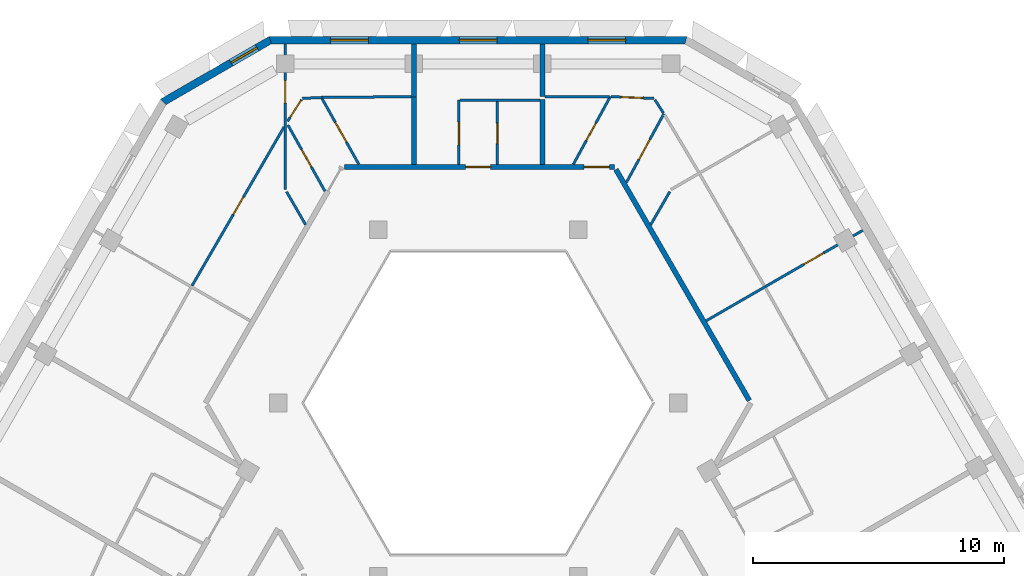
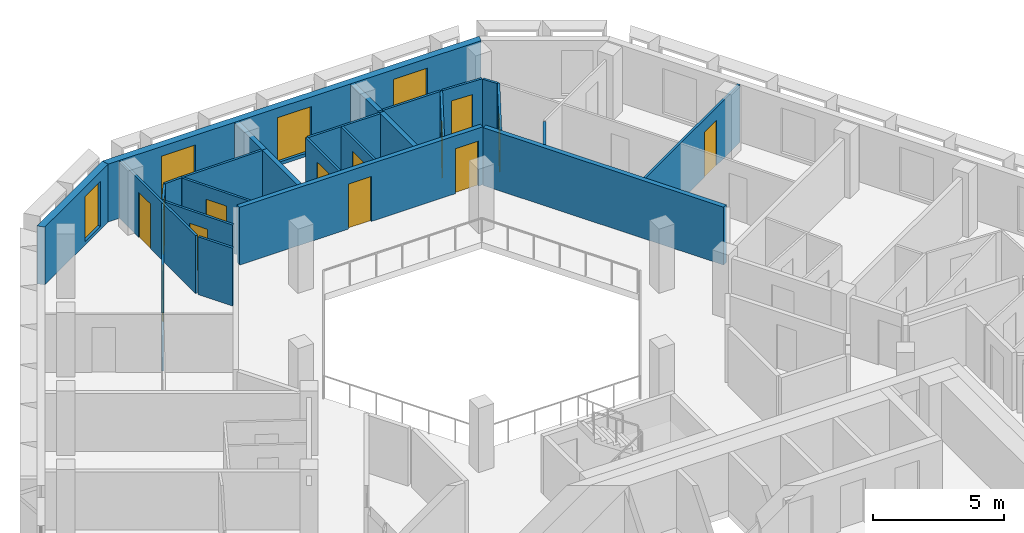
# One storey, part 7 of 15: 26 walls, 13 doors, 4 windows, 17 openings.
"""IFC4 building model written with IfcOpenShell, lengths in metres."""

import ifcopenshell
import ifcopenshell.guid

model = None  # the IFC model being written
_history = None  # IfcOwnerHistory: only IFC2X3 demands one
_inside = {}  # id of a spatial element -> (the spatial element, [elements in it])
_under = {}  # id of a project, library or spatial element -> (it, [spatial elements below it])
_declared = {}  # id of a project -> (the project, [libraries it declares])
_typed = {}  # id of a type object -> (the type object, [elements of that type])
_made_of = {}  # id of a material, layer set ... -> (it, [elements and type objects made of it])


def new_model(schema):
    """Start an empty IFC model of exactly this schema.

    Asked for "IFC4X3", IfcOpenShell would pick the latest addendum, in which some entities
    have other attributes; the version numbers below select the first issue.
    IFC2X3 requires an IfcOwnerHistory on every rooted entity: one is made here for all.
    """
    global model, _history
    if schema == "IFC4X3":
        model = ifcopenshell.file(schema_version=(4, 3, 0, 0))
    else:
        model = ifcopenshell.file(schema=schema)
    _inside.clear()
    _under.clear()
    _declared.clear()
    _typed.clear()
    _made_of.clear()
    _history = None
    if model.schema == "IFC2X3":
        org = make("IfcOrganization", Name="unknown")
        user = make(
            "IfcPersonAndOrganization",
            ThePerson=make("IfcPerson", FamilyName="unknown"),
            TheOrganization=org,
        )
        app = make(
            "IfcApplication",
            ApplicationDeveloper=org,
            Version="unknown",
            ApplicationFullName="unknown",
            ApplicationIdentifier="unknown",
        )
        _history = make(
            "IfcOwnerHistory",
            OwningUser=user,
            OwningApplication=app,
            ChangeAction="ADDED",
            CreationDate=0,
        )
    return model


def make(cls, **values):
    """One entity of the class cls with the attributes given. An attribute that is None is left unset."""
    return model.create_entity(
        cls, **{name: value for name, value in values.items() if value is not None}
    )


def rooted(cls, **values):
    """An entity with a GlobalId (a new one), such as an element, a storey or a relation."""
    return make(cls, GlobalId=ifcopenshell.guid.new(), OwnerHistory=_history, **values)


def si_unit(unit_type, name, prefix=None):
    """IfcSIUnit, for example si_unit("LENGTHUNIT", "METRE", prefix="MILLI")."""
    return make("IfcSIUnit", UnitType=unit_type, Prefix=prefix, Name=name)


def assignment(units):
    """IfcUnitAssignment: the units of a project."""
    return None if units is None else make("IfcUnitAssignment", Units=units)


def point(xyz):
    """IfcCartesianPoint."""
    return None if xyz is None else make("IfcCartesianPoint", Coordinates=xyz)


def direction(xyz):
    """IfcDirection."""
    return None if xyz is None else make("IfcDirection", DirectionRatios=xyz)


def frame(location, z_axis=None, x_axis=None):
    """IfcAxis2Placement3D, a coordinate frame: its origin and axes. An axis left out is left unset."""
    return make(
        "IfcAxis2Placement3D",
        Location=point(location),
        Axis=direction(z_axis),
        RefDirection=direction(x_axis),
    )


def frame_2d(location, x_axis=None):
    """IfcAxis2Placement2D, a coordinate frame in the plane: its origin and x axis."""
    return make(
        "IfcAxis2Placement2D", Location=point(location), RefDirection=direction(x_axis)
    )


def origin():
    """The frame at (0, 0, 0) with its axes left unset."""
    return frame((0.0, 0.0, 0.0))


def place(relative_to, where):
    """IfcLocalPlacement: puts the frame where relative to a parent placement (None: the world)."""
    return make(
        "IfcLocalPlacement", PlacementRelTo=relative_to, RelativePlacement=where
    )


def context(
    kind, dimensions, precision=None, world=None, true_north=None, identifier=None
):
    """IfcGeometricRepresentationContext, for example the 3D "Model" context."""
    return make(
        "IfcGeometricRepresentationContext",
        ContextIdentifier=identifier,
        ContextType=kind,
        CoordinateSpaceDimension=dimensions,
        Precision=precision,
        WorldCoordinateSystem=world,
        TrueNorth=true_north,
    )


def subcontext(parent, identifier, kind, view, scale=None):
    """IfcGeometricRepresentationSubContext, for example "Body" below "Model"."""
    return make(
        "IfcGeometricRepresentationSubContext",
        ContextIdentifier=identifier,
        ContextType=kind,
        ParentContext=parent,
        TargetScale=scale,
        TargetView=view,
    )


def project(units=None, contexts=None):
    """IfcProject with its units and contexts."""
    return rooted(
        "IfcProject",
        Name="project",
        RepresentationContexts=contexts,
        UnitsInContext=assignment(units),
    )


def spatial(cls, under=None, at=None, **own):
    """A site, building, storey or space (cls), placed at a placement, below another one or the project."""
    s = rooted(cls, ObjectPlacement=at, **own)
    if under is not None:
        _under.setdefault(under.id(), (under, []))[1].append(s)
    return s


def polyline(points):
    """IfcPolyline through the points."""
    return make("IfcPolyline", Points=[point(p) for p in points])


def profile(cls, at=None, kind="AREA", **sizes):
    """A parametric profile (cls). Its sizes go by their IFC names, for example OverallWidth=200.0."""
    return make(cls, ProfileType=kind, Position=at, **sizes)


def rectangle(**sizes):
    """IfcRectangleProfileDef."""
    return profile("IfcRectangleProfileDef", **sizes)


def outline(outer, holes=None, kind="AREA"):
    """IfcArbitraryClosedProfileDef: a profile drawn as a closed curve; with holes, ...WithVoids."""
    if holes is None:
        return make("IfcArbitraryClosedProfileDef", ProfileType=kind, OuterCurve=outer)
    return make(
        "IfcArbitraryProfileDefWithVoids",
        ProfileType=kind,
        OuterCurve=outer,
        InnerCurves=holes,
    )


def extrude(swept, where, along, depth):
    """IfcExtrudedAreaSolid: the profile swept, set in the frame where, extruded along a direction by depth."""
    return make(
        "IfcExtrudedAreaSolid",
        SweptArea=swept,
        Position=where,
        ExtrudedDirection=direction(along),
        Depth=depth,
    )


def shape(context_of_items, identifier, shape_type, items):
    """IfcShapeRepresentation: the items that make up one representation, for example the "Body"."""
    return make(
        "IfcShapeRepresentation",
        ContextOfItems=context_of_items,
        RepresentationIdentifier=identifier,
        RepresentationType=shape_type,
        Items=items,
    )


def material(Name=None, Category=None):
    """IfcMaterial."""
    return make("IfcMaterial", Name=Name, Category=Category)


def layer(
    of_material, thickness, ventilated=None, Name=None, Category=None, Priority=None
):
    """IfcMaterialLayer: one layer of a wall or slab, of a material (None: an air gap)."""
    return make(
        "IfcMaterialLayer",
        Material=of_material,
        LayerThickness=thickness,
        IsVentilated=ventilated,
        Name=Name,
        Category=Category,
        Priority=Priority,
    )


def layer_set(layers, Name=None):
    """IfcMaterialLayerSet."""
    return make("IfcMaterialLayerSet", MaterialLayers=layers, LayerSetName=Name)


def made_of(thing, what):
    """Note that an element or type object is made of a material, layer set ...; save() writes the relation."""
    if what is not None:
        _made_of.setdefault(what.id(), (what, []))[1].append(thing)
    return thing


def type_object(cls, material=None, **own):
    """A type object (cls), such as IfcWallType, which elements share."""
    return made_of(rooted(cls, **own), material)


def element(
    cls,
    number,
    at=None,
    inside=None,
    cuts=None,
    type_object=None,
    material=None,
    context=None,
    identifier="Body",
    shape_type=None,
    held_by="IfcProductDefinitionShape",
    body=None,
    shapes=None,
    **own,
):
    """One element of the class cls, such as IfcWall. Its Tag is "e" and its number.

    at: its placement. inside: the storey or other place that contains it. cuts: it is an
    opening in that element (IfcRelVoidsElement). A single representation is given by context,
    identifier, shape_type and body (its items); several are given by shapes. held_by: the class
    of the entity that holds the representations. save() writes the other relations.
    """
    e = rooted(cls, Tag="e%d" % number, ObjectPlacement=at, **own)
    if body is not None:
        shapes = [shape(context, identifier, shape_type, body)]
    if shapes is not None:
        e.Representation = make(held_by, Representations=shapes)
    if inside is not None:
        _inside.setdefault(inside.id(), (inside, []))[1].append(e)
    if cuts is not None:
        rooted(
            "IfcRelVoidsElement", RelatingBuildingElement=cuts, RelatedOpeningElement=e
        )
    if type_object is not None:
        _typed.setdefault(type_object.id(), (type_object, []))[1].append(e)
    return made_of(e, material)


def fill(opening, filler):
    """IfcRelFillsElement: the door or window that sits in an opening."""
    return rooted(
        "IfcRelFillsElement",
        RelatingOpeningElement=opening,
        RelatedBuildingElement=filler,
    )


def aggregate(whole, parts):
    """IfcRelAggregates: a whole, such as a stair, and the parts it consists of."""
    return rooted("IfcRelAggregates", RelatingObject=whole, RelatedObjects=parts)


def save(model, path):
    """Write the relations noted so far, then the file.

    IfcRelAggregates (storeys below a building ...), IfcRelContainedInSpatialStructure (elements
    in a storey), IfcRelDefinesByType, IfcRelAssociatesMaterial and IfcRelDeclares: one each for
    every whole, place, type object, material and project.
    """
    for whole, parts in _under.values():
        aggregate(whole, parts)
    for where, things in _inside.values():
        rooted(
            "IfcRelContainedInSpatialStructure",
            RelatedElements=things,
            RelatingStructure=where,
        )
    for kind, things in _typed.values():
        rooted("IfcRelDefinesByType", RelatedObjects=things, RelatingType=kind)
    for what, things in _made_of.values():
        rooted("IfcRelAssociatesMaterial", RelatedObjects=things, RelatingMaterial=what)
    for by, libraries in _declared.values():
        rooted("IfcRelDeclares", RelatingContext=by, RelatedDefinitions=libraries)
    model.write(path)


model = new_model("IFC4")

# Units and contexts
model_context = context("Model", 3, precision=1e-05, world=origin(), true_north=direction((0.0, 1.0)))
body_context = subcontext(model_context, "Body", "Model", "MODEL_VIEW")
ifc_project = project(units=[si_unit("LENGTHUNIT", "METRE"), si_unit("AREAUNIT", "SQUARE_METRE"), si_unit("VOLUMEUNIT", "CUBIC_METRE"), si_unit("PLANEANGLEUNIT", "RADIAN"), si_unit("MASSUNIT", "GRAM", prefix="KILO")], contexts=[model_context])

# Site, building, storey
site_placement = place(None, origin())
site = spatial("IfcSite", under=ifc_project, at=site_placement, CompositionType="ELEMENT")
building_placement = place(site_placement, origin())
building = spatial("IfcBuilding", under=site, at=building_placement, Name="Beryl Residences", CompositionType="ELEMENT")
storey_placement = place(building_placement, frame((0.0, 0.0, 211.800048828125)))
storey = spatial("IfcBuildingStorey", under=building, at=storey_placement, Name="L65", CompositionType="ELEMENT", Elevation=211.800048828125)

# Wall, openings, windows
ifc_material_1 = material(Name="Composite metal panel with mineral wool insulation")
ifc_layer_1 = layer(ifc_material_1, 0.300048828125)
ifc_layer_set_1 = layer_set([ifc_layer_1], Name="ES1 pale metal composite panel wall 300 mm")
wall_type_1 = type_object("IfcWallType", Name="ES1 pale metal composite panel wall 300 mm", PredefinedType="SOLIDWALL", material=ifc_layer_set_1)
wall_1_placement = place(storey_placement, frame((8.31396484375, 22.449951171875, 0.0), z_axis=(0.0, 0.0, 1.0), x_axis=(-1.0, 0.0, 0.0)))
wall_1 = element("IfcWall", 1, at=wall_1_placement, inside=storey, type_object=wall_type_1, Name="ES1 external wall L65 N", PredefinedType="SOLIDWALL", context=body_context, shape_type="SweptSolid", body=[
    extrude(outline(polyline([(0.0, -0.14990234375), (16.6279296875, -0.14990234375), (16.547607421875, 0.14990234375), (0.080322265625, 0.14990234375), (0.0, -0.14990234375)])), origin(), (0.0, 0.0, 1.0), 2.699951171875),
])
opening_1_placement = place(wall_1_placement, frame((2.444091796875, 0.0, 0.14990234375)))
opening_1 = element("IfcOpeningElement", 2, at=opening_1_placement, cuts=wall_1, Name="Opening W1", PredefinedType="OPENING", context=body_context, shape_type="SweptSolid", body=[
    extrude(rectangle(XDim=1.5, YDim=2.10009765625, at=frame_2d((0.75, 1.050048828125))), frame((0.0, 0.159912109375, 0.0), z_axis=(0.0, -1.0, 0.0), x_axis=(1.0, 0.0, 0.0)), (0.0, 0.0, 1.0), 0.320068359375),
])
opening_2_placement = place(wall_1_placement, frame((7.56396484375, 0.0, 0.14990234375)))
opening_2 = element("IfcOpeningElement", 3, at=opening_2_placement, cuts=wall_1, Name="Opening W1", PredefinedType="OPENING", context=body_context, shape_type="SweptSolid", body=[
    extrude(rectangle(XDim=1.5, YDim=2.10009765625, at=frame_2d((0.75, 1.050048828125))), frame((0.0, 0.159912109375, 0.0), z_axis=(0.0, -1.0, 0.0), x_axis=(1.0, 0.0, 0.0)), (0.0, 0.0, 1.0), 0.320068359375),
])
opening_3_placement = place(wall_1_placement, frame((12.68310546875, 0.0, 0.14990234375)))
opening_3 = element("IfcOpeningElement", 4, at=opening_3_placement, cuts=wall_1, Name="Opening W1", PredefinedType="OPENING", context=body_context, shape_type="SweptSolid", body=[
    extrude(rectangle(XDim=1.5, YDim=2.10009765625, at=frame_2d((0.75, 1.050048828125))), frame((0.0, 0.159912109375, 0.0), z_axis=(0.0, -1.0, 0.0), x_axis=(1.0, 0.0, 0.0)), (0.0, 0.0, 1.0), 0.320068359375),
])
ifc_material_2 = material(Name="Aluminium and clear glass", Category="aluminium")
window_type_1 = type_object("IfcWindowType", Name="W1 cell window 1500 x 2100 mm", PartitioningType="SINGLE_PANEL", PredefinedType="WINDOW", material=ifc_material_2)
window_1_placement = place(opening_1_placement, origin())
window_1 = element("IfcWindow", 5, at=window_1_placement, inside=storey, type_object=window_type_1, Name="W1 window L65 N 2", OverallHeight=2.10009765625, OverallWidth=1.5, PartitioningType="SINGLE_PANEL", PredefinedType="WINDOW", context=body_context, shape_type="SweptSolid", body=[
    extrude(rectangle(XDim=1.5, YDim=2.10009765625, at=frame_2d((0.75, 1.050048828125))), frame((0.0, 0.030029296875, 0.0), z_axis=(0.0, -1.0, 0.0), x_axis=(1.0, 0.0, 0.0)), (0.0, 0.0, 1.0), 0.06005859375),
])
fill(opening_1, window_1)
window_2_placement = place(opening_2_placement, origin())
window_2 = element("IfcWindow", 6, at=window_2_placement, inside=storey, type_object=window_type_1, Name="W1 window L65 N 4", OverallHeight=2.10009765625, OverallWidth=1.5, PartitioningType="SINGLE_PANEL", PredefinedType="WINDOW", context=body_context, shape_type="SweptSolid", body=[
    extrude(rectangle(XDim=1.5, YDim=2.10009765625, at=frame_2d((0.75, 1.050048828125))), frame((0.0, 0.030029296875, 0.0), z_axis=(0.0, -1.0, 0.0), x_axis=(1.0, 0.0, 0.0)), (0.0, 0.0, 1.0), 0.06005859375),
])
fill(opening_2, window_2)
window_3_placement = place(opening_3_placement, origin())
window_3 = element("IfcWindow", 7, at=window_3_placement, inside=storey, type_object=window_type_1, Name="W1 window L65 N 6", OverallHeight=2.10009765625, OverallWidth=1.5, PartitioningType="SINGLE_PANEL", PredefinedType="WINDOW", context=body_context, shape_type="SweptSolid", body=[
    extrude(rectangle(XDim=1.5, YDim=2.10009765625, at=frame_2d((0.75, 1.050048828125))), frame((0.0, 0.030029296875, 0.0), z_axis=(0.0, -1.0, 0.0), x_axis=(1.0, 0.0, 0.0)), (0.0, 0.0, 1.0), 0.06005859375),
])
fill(opening_3, window_3)

# Wall, opening, window
wall_2_placement = place(storey_placement, frame((-8.239013671875, 22.469970703125, 0.0), z_axis=(0.0, 0.0, 1.0), x_axis=(-0.866022959057, -0.500004234368, 0.0)))
wall_2 = element("IfcWall", 8, at=wall_2_placement, inside=storey, type_object=wall_type_1, Name="ES1 external wall L65 N-NW", PredefinedType="SOLIDWALL", context=body_context, shape_type="SweptSolid", body=[
    extrude(outline(polyline([(0.0, -0.14990234375), (5.0, -0.14990234375), (4.919677734375, 0.14990234375), (0.080322265625, 0.14990234375), (0.0, -0.14990234375)])), origin(), (0.0, 0.0, 1.0), 2.699951171875),
])
opening_4_placement = place(wall_2_placement, frame((0.64990234375, 0.0, 0.14990234375)))
opening_4 = element("IfcOpeningElement", 9, at=opening_4_placement, cuts=wall_2, Name="Opening W2", PredefinedType="OPENING", context=body_context, shape_type="SweptSolid", body=[
    extrude(rectangle(XDim=1.199951171875, YDim=2.10009765625, at=frame_2d((0.60009765625, 1.050048828125))), frame((0.0, 0.159912109375, 0.0), z_axis=(0.0, -1.0, 0.0), x_axis=(1.0, 0.0, 0.0)), (0.0, 0.0, 1.0), 0.320068359375),
])
ifc_material_3 = material(Name="Aluminium and clear glass", Category="aluminium")
window_type_2 = type_object("IfcWindowType", Name="W2 chamfer window 1200 x 2100 mm", PartitioningType="SINGLE_PANEL", PredefinedType="WINDOW", material=ifc_material_3)
window_4_placement = place(opening_4_placement, origin())
window_4 = element("IfcWindow", 10, at=window_4_placement, inside=storey, type_object=window_type_2, Name="W2 window L65 N-NW 1", OverallHeight=2.10009765625, OverallWidth=1.199951171875, PartitioningType="SINGLE_PANEL", PredefinedType="WINDOW", context=body_context, shape_type="SweptSolid", body=[
    extrude(rectangle(XDim=1.199951171875, YDim=2.10009765625, at=frame_2d((0.60009765625, 1.050048828125))), frame((0.0, 0.030029296875, 0.0), z_axis=(0.0, -1.0, 0.0), x_axis=(1.0, 0.0, 0.0)), (0.0, 0.0, 1.0), 0.06005859375),
])
fill(opening_4, window_4)

# Walls
ifc_material_4 = material(Name="Gypsum board partition on steel studs", Category="steel")
ifc_layer_2 = layer(ifc_material_4, 0.10009765625)
ifc_layer_set_2 = layer_set([ifc_layer_2], Name="PT1 partition 100 mm gypsum board on steel studs")
wall_type_2 = type_object("IfcWallType", Name="PT1 partition 100 mm gypsum board on steel studs", PredefinedType="PARTITIONING", material=ifc_layer_set_2)
wall_3_placement = place(storey_placement, frame((7.034912109375, 20.076904296875, 0.0), z_axis=(0.0, 0.0, 1.0), x_axis=(0.540425167977, -0.841392083286, 0.0)))
element("IfcWall", 11, at=wall_3_placement, inside=storey, type_object=wall_type_2, Name="Wall PT1 L65 003", PredefinedType="PARTITIONING", context=body_context, shape_type="SweptSolid", body=[
    extrude(rectangle(XDim=0.631103515625, YDim=0.10009765625, at=frame_2d((0.3154296875, 0.0))), origin(), (0.0, 0.0, 1.0), 2.699951171875),
])
wall_4_placement = place(storey_placement, frame((-7.6279296875, 16.412109375, 0.0), z_axis=(0.0, 0.0, 1.0), x_axis=(0.500159472144, -0.86593331292, 0.0)))
element("IfcWall", 12, at=wall_4_placement, inside=storey, type_object=wall_type_2, Name="Wall PT1 L65 006", PredefinedType="PARTITIONING", context=body_context, shape_type="SweptSolid", body=[
    extrude(rectangle(XDim=1.51513671875, YDim=0.10009765625, at=frame_2d((0.757568359375, 0.0))), origin(), (0.0, 0.0, 1.0), 2.699951171875),
])

# Wall, opening, door
wall_5_placement = place(storey_placement, frame((-6.2109375, 20.114990234375, 0.0), z_axis=(0.0, 0.0, 1.0), x_axis=(0.488221234931, -0.872719901092, 0.0)))
wall_5 = element("IfcWall", 13, at=wall_5_placement, inside=storey, type_object=wall_type_2, Name="Wall PT1 L65 009", PredefinedType="PARTITIONING", context=body_context, shape_type="SweptSolid", body=[
    extrude(rectangle(XDim=2.996337890625, YDim=0.10009765625, at=frame_2d((1.498046875, 0.0))), origin(), (0.0, 0.0, 1.0), 2.699951171875),
])
opening_5_placement = place(wall_5_placement, frame((1.076904296875, 0.0, 0.0)))
opening_5 = element("IfcOpeningElement", 14, at=opening_5_placement, cuts=wall_5, Name="Opening D2114", PredefinedType="OPENING", context=body_context, shape_type="SweptSolid", body=[
    extrude(rectangle(XDim=0.89990234375, YDim=2.10009765625, at=frame_2d((0.449951171875, 1.050048828125))), frame((0.0, 0.06005859375, 0.0), z_axis=(0.0, -1.0, 0.0), x_axis=(1.0, 0.0, 0.0)), (0.0, 0.0, 1.0), 0.1201171875),
])
ifc_material_5 = material(Name="Timber door leaf", Category="wood")
door_type_1 = type_object("IfcDoorType", Name="D2 room door 900 x 2100 mm", OperationType="SINGLE_SWING_LEFT", PredefinedType="DOOR", material=ifc_material_5)
door_1_placement = place(opening_5_placement, origin())
door_1 = element("IfcDoor", 15, at=door_1_placement, inside=storey, type_object=door_type_1, Name="Door D2114 L65 001", OperationType="SINGLE_SWING_RIGHT", OverallHeight=2.10009765625, OverallWidth=0.89990234375, PredefinedType="DOOR", context=body_context, shape_type="SweptSolid", body=[
    extrude(rectangle(XDim=0.89990234375, YDim=2.10009765625, at=frame_2d((0.449951171875, 1.050048828125))), frame((0.0, 0.02490234375, 0.0), z_axis=(0.0, -1.0, 0.0), x_axis=(1.0, 0.0, 0.0)), (0.0, 0.0, 1.0), 0.050048828125),
])
fill(opening_5, door_1)

wall_6_placement = place(storey_placement, frame((-7.574951171875, 19.070068359375, 0.0), z_axis=(0.0, 0.0, 1.0), x_axis=(0.488413788688, -0.872612153834, 0.0)))
wall_6 = element("IfcWall", 16, at=wall_6_placement, inside=storey, type_object=wall_type_2, Name="Wall PT1 L65 010", PredefinedType="PARTITIONING", context=body_context, shape_type="SweptSolid", body=[
    extrude(rectangle(XDim=3.019775390625, YDim=0.10009765625, at=frame_2d((1.509765625, 0.0))), origin(), (0.0, 0.0, 1.0), 2.699951171875),
])
opening_6_placement = place(wall_6_placement, frame((1.116943359375, 0.0, 0.0)))
opening_6 = element("IfcOpeningElement", 17, at=opening_6_placement, cuts=wall_6, Name="Opening D2113", PredefinedType="OPENING", context=body_context, shape_type="SweptSolid", body=[
    extrude(rectangle(XDim=0.800048828125, YDim=2.10009765625, at=frame_2d((0.39990234375, 1.050048828125))), frame((0.0, 0.06005859375, 0.0), z_axis=(0.0, -1.0, 0.0), x_axis=(1.0, 0.0, 0.0)), (0.0, 0.0, 1.0), 0.1201171875),
])
ifc_material_6 = material(Name="Timber door leaf", Category="wood")
door_type_2 = type_object("IfcDoorType", Name="D3 bathroom door 800 x 2100 mm", OperationType="SINGLE_SWING_LEFT", PredefinedType="DOOR", material=ifc_material_6)
door_2_placement = place(opening_6_placement, origin())
door_2 = element("IfcDoor", 18, at=door_2_placement, inside=storey, type_object=door_type_2, Name="Door D2113 L65 001", OperationType="SINGLE_SWING_LEFT", OverallHeight=2.10009765625, OverallWidth=0.800048828125, PredefinedType="DOOR", context=body_context, shape_type="SweptSolid", body=[
    extrude(rectangle(XDim=0.800048828125, YDim=2.10009765625, at=frame_2d((0.39990234375, 1.050048828125))), frame((0.0, 0.02490234375, 0.0), z_axis=(0.0, -1.0, 0.0), x_axis=(1.0, 0.0, 0.0)), (0.0, 0.0, 1.0), 0.050048828125),
])
fill(opening_6, door_2)

wall_7_placement = place(storey_placement, frame((5.2939453125, 20.197998046875, 0.0), z_axis=(0.0, 0.0, 1.0), x_axis=(0.999159599203, -0.040988965834, 0.0)))
wall_7 = element("IfcWall", 19, at=wall_7_placement, inside=storey, type_object=wall_type_2, Name="Wall PT1 L65 014", PredefinedType="PARTITIONING", context=body_context, shape_type="SweptSolid", body=[
    extrude(rectangle(XDim=1.70947265625, YDim=0.10009765625, at=frame_2d((0.854736328125, 0.0))), origin(), (0.0, 0.0, 1.0), 2.699951171875),
])
opening_7_placement = place(wall_7_placement, frame((0.376953125, 0.0, 0.0)))
opening_7 = element("IfcOpeningElement", 20, at=opening_7_placement, cuts=wall_7, Name="Opening D2104", PredefinedType="OPENING", context=body_context, shape_type="SweptSolid", body=[
    extrude(rectangle(XDim=0.89990234375, YDim=2.10009765625, at=frame_2d((0.449951171875, 1.050048828125))), frame((0.0, 0.06005859375, 0.0), z_axis=(0.0, -1.0, 0.0), x_axis=(1.0, 0.0, 0.0)), (0.0, 0.0, 1.0), 0.1201171875),
])
door_3_placement = place(opening_7_placement, origin())
door_3 = element("IfcDoor", 21, at=door_3_placement, inside=storey, type_object=door_type_1, Name="Door D2104 L65 001", OperationType="SINGLE_SWING_RIGHT", OverallHeight=2.10009765625, OverallWidth=0.89990234375, PredefinedType="DOOR", context=body_context, shape_type="SweptSolid", body=[
    extrude(rectangle(XDim=0.89990234375, YDim=2.10009765625, at=frame_2d((0.449951171875, 1.050048828125))), frame((0.0, 0.02490234375, 0.0), z_axis=(0.0, -1.0, 0.0), x_axis=(1.0, 0.0, 0.0)), (0.0, 0.0, 1.0), 0.050048828125),
])
fill(opening_7, door_3)

# Walls
wall_8_placement = place(storey_placement, frame((-0.716064453125, 20.06005859375, 0.0), z_axis=(0.0, 0.0, 1.0), x_axis=(1.0, 0.0, 0.0)))
element("IfcWall", 22, at=wall_8_placement, inside=storey, type_object=wall_type_2, Name="Wall PT1 L65 023", PredefinedType="PARTITIONING", context=body_context, shape_type="SweptSolid", body=[
    extrude(rectangle(XDim=3.176025390625, YDim=0.10009765625, at=frame_2d((1.587890625, 0.0))), origin(), (0.0, 0.0, 1.0), 2.699951171875),
])
wall_9_placement = place(storey_placement, frame((2.659912109375, 20.199951171875, 0.0), z_axis=(0.0, 0.0, 1.0), x_axis=(1.0, 0.0, 0.0)))
element("IfcWall", 23, at=wall_9_placement, inside=storey, type_object=wall_type_2, Name="Wall PT1 L65 024", PredefinedType="PARTITIONING", context=body_context, shape_type="SweptSolid", body=[
    extrude(rectangle(XDim=2.564208984375, YDim=0.10009765625, at=frame_2d((1.2822265625, 0.0))), origin(), (0.0, 0.0, 1.0), 2.699951171875),
])
wall_10_placement = place(storey_placement, frame((-6.259033203125, 20.1640625, 0.0), z_axis=(0.0, 0.0, 1.0), x_axis=(0.999952982126, 0.009697089139, 0.0)))
element("IfcWall", 24, at=wall_10_placement, inside=storey, type_object=wall_type_2, Name="Wall PT1 L65 025", PredefinedType="PARTITIONING", context=body_context, shape_type="SweptSolid", body=[
    extrude(rectangle(XDim=3.600341796875, YDim=0.10009765625, at=frame_2d((1.80029296875, 0.0))), origin(), (0.0, 0.0, 1.0), 2.699951171875),
])

# Wall, opening, door
wall_11_placement = place(storey_placement, frame((-7.5869140625, 19.218017578125, 0.0), z_axis=(0.0, 0.0, 1.0), x_axis=(0.54066090195, 0.841240624972, 0.0)))
wall_11 = element("IfcWall", 25, at=wall_11_placement, inside=storey, type_object=wall_type_2, Name="Wall PT1 L65 027", PredefinedType="PARTITIONING", context=body_context, shape_type="SweptSolid", body=[
    extrude(rectangle(XDim=1.02099609375, YDim=0.10009765625, at=frame_2d((0.510498046875, 0.0))), origin(), (0.0, 0.0, 1.0), 2.699951171875),
])
opening_8_placement = place(wall_11_placement, frame((0.180908203125, 0.0, 0.0)))
opening_8 = element("IfcOpeningElement", 26, at=opening_8_placement, cuts=wall_11, Name="Opening D2115", PredefinedType="OPENING", context=body_context, shape_type="SweptSolid", body=[
    extrude(rectangle(XDim=0.800048828125, YDim=2.10009765625, at=frame_2d((0.39990234375, 1.050048828125))), frame((0.0, 0.06005859375, 0.0), z_axis=(0.0, -1.0, 0.0), x_axis=(1.0, 0.0, 0.0)), (0.0, 0.0, 1.0), 0.1201171875),
])
ifc_material_7 = material(Name="Timber door leaf", Category="wood")
door_type_3 = type_object("IfcDoorType", Name="D13 room door 800 x 2100 mm", OperationType="SINGLE_SWING_LEFT", PredefinedType="DOOR", material=ifc_material_7)
door_4_placement = place(opening_8_placement, origin())
door_4 = element("IfcDoor", 27, at=door_4_placement, inside=storey, type_object=door_type_3, Name="Door D2115 L65 001", OperationType="SINGLE_SWING_LEFT", OverallHeight=2.10009765625, OverallWidth=0.800048828125, PredefinedType="DOOR", context=body_context, shape_type="SweptSolid", body=[
    extrude(rectangle(XDim=0.800048828125, YDim=2.10009765625, at=frame_2d((0.39990234375, 1.050048828125))), frame((0.0, 0.02490234375, 0.0), z_axis=(0.0, -1.0, 0.0), x_axis=(1.0, 0.0, 0.0)), (0.0, 0.0, 1.0), 0.050048828125),
])
fill(opening_8, door_4)

# Wall
wall_12_placement = place(storey_placement, frame((6.87109375, 15.10009765625, 0.0), z_axis=(0.0, 0.0, 1.0), x_axis=(0.499805980977, 0.866137391745, 0.0)))
element("IfcWall", 28, at=wall_12_placement, inside=storey, type_object=wall_type_2, Name="Wall PT1 L65 029", PredefinedType="PARTITIONING", context=body_context, shape_type="SweptSolid", body=[
    extrude(rectangle(XDim=1.51806640625, YDim=0.10009765625, at=frame_2d((0.759033203125, 0.0))), origin(), (0.0, 0.0, 1.0), 2.699951171875),
])

# Wall, opening, door
wall_13_placement = place(storey_placement, frame((-11.39208984375, 12.66796875, 0.0), z_axis=(0.0, 0.0, 1.0), x_axis=(0.501440551074, 0.865192102217, 0.0)))
wall_13 = element("IfcWall", 29, at=wall_13_placement, inside=storey, type_object=wall_type_2, Name="Wall PT1 L65 030", PredefinedType="PARTITIONING", context=body_context, shape_type="SweptSolid", body=[
    extrude(rectangle(XDim=7.30712890625, YDim=0.10009765625, at=frame_2d((3.653564453125, 0.0))), origin(), (0.0, 0.0, 1.0), 2.699951171875),
])
opening_9_placement = place(wall_13_placement, frame((3.278076171875, 0.0, 0.0)))
opening_9 = element("IfcOpeningElement", 30, at=opening_9_placement, cuts=wall_13, Name="Opening D2118", PredefinedType="OPENING", context=body_context, shape_type="SweptSolid", body=[
    extrude(rectangle(XDim=0.800048828125, YDim=2.10009765625, at=frame_2d((0.39990234375, 1.050048828125))), frame((0.0, 0.06005859375, 0.0), z_axis=(0.0, -1.0, 0.0), x_axis=(1.0, 0.0, 0.0)), (0.0, 0.0, 1.0), 0.1201171875),
])
door_5_placement = place(opening_9_placement, origin())
door_5 = element("IfcDoor", 31, at=door_5_placement, inside=storey, type_object=door_type_2, Name="Door D2118 L65 001", OperationType="SINGLE_SWING_RIGHT", OverallHeight=2.10009765625, OverallWidth=0.800048828125, PredefinedType="DOOR", context=body_context, shape_type="SweptSolid", body=[
    extrude(rectangle(XDim=0.800048828125, YDim=2.10009765625, at=frame_2d((0.39990234375, 1.050048828125))), frame((0.0, 0.02490234375, 0.0), z_axis=(0.0, -1.0, 0.0), x_axis=(1.0, 0.0, 0.0)), (0.0, 0.0, 1.0), 0.050048828125),
])
fill(opening_9, door_5)

wall_14_placement = place(storey_placement, frame((3.787109375, 17.5, 0.0), z_axis=(0.0, 0.0, 1.0), x_axis=(0.479146828267, 0.877734764585, 0.0)))
wall_14 = element("IfcWall", 32, at=wall_14_placement, inside=storey, type_object=wall_type_2, Name="Wall PT1 L65 032", PredefinedType="PARTITIONING", context=body_context, shape_type="SweptSolid", body=[
    extrude(rectangle(XDim=3.075927734375, YDim=0.10009765625, at=frame_2d((1.5380859375, 0.0))), origin(), (0.0, 0.0, 1.0), 2.699951171875),
])
opening_10_placement = place(wall_14_placement, frame((1.0810546875, 0.0, 0.0)))
opening_10 = element("IfcOpeningElement", 33, at=opening_10_placement, cuts=wall_14, Name="Opening D2103", PredefinedType="OPENING", context=body_context, shape_type="SweptSolid", body=[
    extrude(rectangle(XDim=0.800048828125, YDim=2.10009765625, at=frame_2d((0.39990234375, 1.050048828125))), frame((0.0, 0.06005859375, 0.0), z_axis=(0.0, -1.0, 0.0), x_axis=(1.0, 0.0, 0.0)), (0.0, 0.0, 1.0), 0.1201171875),
])
door_6_placement = place(opening_10_placement, origin())
door_6 = element("IfcDoor", 34, at=door_6_placement, inside=storey, type_object=door_type_2, Name="Door D2103 L65 001", OperationType="SINGLE_SWING_LEFT", OverallHeight=2.10009765625, OverallWidth=0.800048828125, PredefinedType="DOOR", context=body_context, shape_type="SweptSolid", body=[
    extrude(rectangle(XDim=0.800048828125, YDim=2.10009765625, at=frame_2d((0.39990234375, 1.050048828125))), frame((0.0, 0.02490234375, 0.0), z_axis=(0.0, -1.0, 0.0), x_axis=(1.0, 0.0, 0.0)), (0.0, 0.0, 1.0), 0.050048828125),
])
fill(opening_10, door_6)

wall_15_placement = place(storey_placement, frame((5.90087890625, 16.780029296875, 0.0), z_axis=(0.0, 0.0, 1.0), x_axis=(0.479148317257, 0.877733951759, 0.0)))
wall_15 = element("IfcWall", 35, at=wall_15_placement, inside=storey, type_object=wall_type_2, Name="Wall PT1 L65 033", PredefinedType="PARTITIONING", context=body_context, shape_type="SweptSolid", body=[
    extrude(rectangle(XDim=3.118408203125, YDim=0.10009765625, at=frame_2d((1.55908203125, 0.0))), origin(), (0.0, 0.0, 1.0), 2.699951171875),
])
opening_11_placement = place(wall_15_placement, frame((1.051025390625, 0.0, 0.0)))
opening_11 = element("IfcOpeningElement", 36, at=opening_11_placement, cuts=wall_15, Name="Opening D2102", PredefinedType="OPENING", context=body_context, shape_type="SweptSolid", body=[
    extrude(rectangle(XDim=0.89990234375, YDim=2.10009765625, at=frame_2d((0.449951171875, 1.050048828125))), frame((0.0, 0.06005859375, 0.0), z_axis=(0.0, -1.0, 0.0), x_axis=(1.0, 0.0, 0.0)), (0.0, 0.0, 1.0), 0.1201171875),
])
door_7_placement = place(opening_11_placement, origin())
door_7 = element("IfcDoor", 37, at=door_7_placement, inside=storey, type_object=door_type_1, Name="Door D2102 L65 001", OperationType="SINGLE_SWING_RIGHT", OverallHeight=2.10009765625, OverallWidth=0.89990234375, PredefinedType="DOOR", context=body_context, shape_type="SweptSolid", body=[
    extrude(rectangle(XDim=0.89990234375, YDim=2.10009765625, at=frame_2d((0.449951171875, 1.050048828125))), frame((0.0, 0.02490234375, 0.0), z_axis=(0.0, -1.0, 0.0), x_axis=(1.0, 0.0, 0.0)), (0.0, 0.0, 1.0), 0.050048828125),
])
fill(opening_11, door_7)

wall_16_placement = place(storey_placement, frame((0.76806640625, 17.5, 0.0), z_axis=(0.0, 0.0, 1.0), x_axis=(0.0, 1.0, 0.0)))
wall_16 = element("IfcWall", 38, at=wall_16_placement, inside=storey, type_object=wall_type_2, Name="Wall PT1 L65 037", PredefinedType="PARTITIONING", context=body_context, shape_type="SweptSolid", body=[
    extrude(rectangle(XDim=2.510009765625, YDim=0.10009765625, at=frame_2d((1.2548828125, 0.0))), origin(), (0.0, 0.0, 1.0), 2.699951171875),
])
opening_12_placement = place(wall_16_placement, frame((0.830078125, 0.0, 0.0)))
opening_12 = element("IfcOpeningElement", 39, at=opening_12_placement, cuts=wall_16, Name="Opening D2111", PredefinedType="OPENING", context=body_context, shape_type="SweptSolid", body=[
    extrude(rectangle(XDim=0.800048828125, YDim=2.10009765625, at=frame_2d((0.39990234375, 1.050048828125))), frame((0.0, 0.06005859375, 0.0), z_axis=(0.0, -1.0, 0.0), x_axis=(1.0, 0.0, 0.0)), (0.0, 0.0, 1.0), 0.1201171875),
])
door_8_placement = place(opening_12_placement, origin())
door_8 = element("IfcDoor", 40, at=door_8_placement, inside=storey, type_object=door_type_2, Name="Door D2111 L65 001", OperationType="SINGLE_SWING_LEFT", OverallHeight=2.10009765625, OverallWidth=0.800048828125, PredefinedType="DOOR", context=body_context, shape_type="SweptSolid", body=[
    extrude(rectangle(XDim=0.800048828125, YDim=2.10009765625, at=frame_2d((0.39990234375, 1.050048828125))), frame((0.0, 0.02490234375, 0.0), z_axis=(0.0, -1.0, 0.0), x_axis=(1.0, 0.0, 0.0)), (0.0, 0.0, 1.0), 0.050048828125),
])
fill(opening_12, door_8)

wall_17_placement = place(storey_placement, frame((-7.677978515625, 16.4990234375, 0.0), z_axis=(0.0, 0.0, 1.0), x_axis=(0.0, 1.0, 0.0)))
wall_17 = element("IfcWall", 41, at=wall_17_placement, inside=storey, type_object=wall_type_2, Name="Wall PT1 L65 039", PredefinedType="PARTITIONING", context=body_context, shape_type="SweptSolid", body=[
    extrude(rectangle(XDim=5.801025390625, YDim=0.10009765625, at=frame_2d((2.900390625, 0.0))), origin(), (0.0, 0.0, 1.0), 2.699951171875),
])
opening_13_placement = place(wall_17_placement, frame((3.43994140625, 0.0, 0.0)))
opening_13 = element("IfcOpeningElement", 42, at=opening_13_placement, cuts=wall_17, Name="Opening D2116", PredefinedType="OPENING", context=body_context, shape_type="SweptSolid", body=[
    extrude(rectangle(XDim=0.89990234375, YDim=2.10009765625, at=frame_2d((0.449951171875, 1.050048828125))), frame((0.0, 0.06005859375, 0.0), z_axis=(0.0, -1.0, 0.0), x_axis=(1.0, 0.0, 0.0)), (0.0, 0.0, 1.0), 0.1201171875),
])
door_9_placement = place(opening_13_placement, origin())
door_9 = element("IfcDoor", 43, at=door_9_placement, inside=storey, type_object=door_type_1, Name="Door D2116 L65 001", OperationType="SINGLE_SWING_RIGHT", OverallHeight=2.10009765625, OverallWidth=0.89990234375, PredefinedType="DOOR", context=body_context, shape_type="SweptSolid", body=[
    extrude(rectangle(XDim=0.89990234375, YDim=2.10009765625, at=frame_2d((0.449951171875, 1.050048828125))), frame((0.0, 0.02490234375, 0.0), z_axis=(0.0, -1.0, 0.0), x_axis=(1.0, 0.0, 0.0)), (0.0, 0.0, 1.0), 0.050048828125),
])
fill(opening_13, door_9)

wall_18_placement = place(storey_placement, frame((-0.76708984375, 17.5, 0.0), z_axis=(0.0, 0.0, 1.0), x_axis=(0.0, 1.0, 0.0)))
wall_18 = element("IfcWall", 44, at=wall_18_placement, inside=storey, type_object=wall_type_2, Name="Wall PT1 L65 040", PredefinedType="PARTITIONING", context=body_context, shape_type="SweptSolid", body=[
    extrude(rectangle(XDim=2.55908203125, YDim=0.10009765625, at=frame_2d((1.279541015625, 0.0))), origin(), (0.0, 0.0, 1.0), 2.699951171875),
])
opening_14_placement = place(wall_18_placement, frame((0.780029296875, 0.0, 0.0)))
opening_14 = element("IfcOpeningElement", 45, at=opening_14_placement, cuts=wall_18, Name="Opening D2110", PredefinedType="OPENING", context=body_context, shape_type="SweptSolid", body=[
    extrude(rectangle(XDim=0.89990234375, YDim=2.10009765625, at=frame_2d((0.449951171875, 1.050048828125))), frame((0.0, 0.06005859375, 0.0), z_axis=(0.0, -1.0, 0.0), x_axis=(1.0, 0.0, 0.0)), (0.0, 0.0, 1.0), 0.1201171875),
])
door_10_placement = place(opening_14_placement, origin())
door_10 = element("IfcDoor", 46, at=door_10_placement, inside=storey, type_object=door_type_1, Name="Door D2110 L65 001", OperationType="SINGLE_SWING_RIGHT", OverallHeight=2.10009765625, OverallWidth=0.89990234375, PredefinedType="DOOR", context=body_context, shape_type="SweptSolid", body=[
    extrude(rectangle(XDim=0.89990234375, YDim=2.10009765625, at=frame_2d((0.449951171875, 1.050048828125))), frame((0.0, 0.02490234375, 0.0), z_axis=(0.0, -1.0, 0.0), x_axis=(1.0, 0.0, 0.0)), (0.0, 0.0, 1.0), 0.050048828125),
])
fill(opening_14, door_10)

# Wall
wall_19_placement = place(storey_placement, frame((-7.001953125, 20.1279296875, 0.0), z_axis=(0.0, 0.0, 1.0), x_axis=(0.998824855741, 0.048465529548, 0.0)))
element("IfcWall", 47, at=wall_19_placement, inside=storey, type_object=wall_type_2, Name="Wall PT1 L65 041", PredefinedType="PARTITIONING", context=body_context, shape_type="SweptSolid", body=[
    extrude(rectangle(XDim=0.785888671875, YDim=0.10009765625, at=frame_2d((0.39306640625, 0.0))), origin(), (0.0, 0.0, 1.0), 2.699951171875),
])

# Wall, opening, door
wall_20_placement = place(storey_placement, frame((9.0791015625, 11.27490234375, 0.0), z_axis=(0.0, 0.0, 1.0), x_axis=(0.866001485781, 0.500041424909, 0.0)))
wall_20 = element("IfcWall", 48, at=wall_20_placement, inside=storey, type_object=wall_type_2, Name="Wall PT1 L65 048", PredefinedType="PARTITIONING", context=body_context, shape_type="SweptSolid", body=[
    extrude(rectangle(XDim=7.19970703125, YDim=0.10009765625, at=frame_2d((3.599853515625, 0.0))), origin(), (0.0, 0.0, 1.0), 2.699951171875),
])
opening_15_placement = place(wall_20_placement, frame((4.5, 0.0, 0.0)))
opening_15 = element("IfcOpeningElement", 49, at=opening_15_placement, cuts=wall_20, Name="Opening D2106", PredefinedType="OPENING", context=body_context, shape_type="SweptSolid", body=[
    extrude(rectangle(XDim=0.89990234375, YDim=2.10009765625, at=frame_2d((0.449951171875, 1.050048828125))), frame((0.0, 0.06005859375, 0.0), z_axis=(0.0, -1.0, 0.0), x_axis=(1.0, 0.0, 0.0)), (0.0, 0.0, 1.0), 0.1201171875),
])
door_11_placement = place(opening_15_placement, origin())
door_11 = element("IfcDoor", 50, at=door_11_placement, inside=storey, type_object=door_type_1, Name="Door D2106 L65 001", OperationType="SINGLE_SWING_RIGHT", OverallHeight=2.10009765625, OverallWidth=0.89990234375, PredefinedType="DOOR", context=body_context, shape_type="SweptSolid", body=[
    extrude(rectangle(XDim=0.89990234375, YDim=2.10009765625, at=frame_2d((0.449951171875, 1.050048828125))), frame((0.0, 0.02490234375, 0.0), z_axis=(0.0, -1.0, 0.0), x_axis=(1.0, 0.0, 0.0)), (0.0, 0.0, 1.0), 0.050048828125),
])
fill(opening_15, door_11)

# Walls
ifc_material_8 = material(Name="Acoustic double stud gypsum board wall")
ifc_layer_3 = layer(ifc_material_8, 0.199951171875)
ifc_layer_set_3 = layer_set([ifc_layer_3], Name="PT3 party wall 200 mm acoustic double stud")
wall_type_3 = type_object("IfcWallType", Name="PT3 party wall 200 mm acoustic double stud", PredefinedType="PARTITIONING", material=ifc_layer_set_3)
wall_21_placement = place(storey_placement, frame((-2.55908203125, 20.219970703125, 0.0), z_axis=(0.0, 0.0, 1.0), x_axis=(0.0, -1.0, 0.0)))
element("IfcWall", 51, at=wall_21_placement, inside=storey, type_object=wall_type_3, Name="Wall PT3 L65 002", PredefinedType="PARTITIONING", context=body_context, shape_type="SweptSolid", body=[
    extrude(rectangle(XDim=2.719970703125, YDim=0.199951171875, at=frame_2d((1.35986328125, 0.0))), origin(), (0.0, 0.0, 1.0), 2.699951171875),
])
wall_22_placement = place(storey_placement, frame((2.56005859375, 20.080078125, 0.0), z_axis=(0.0, 0.0, 1.0), x_axis=(0.0, -1.0, 0.0)))
element("IfcWall", 52, at=wall_22_placement, inside=storey, type_object=wall_type_3, Name="Wall PT3 L65 003", PredefinedType="PARTITIONING", context=body_context, shape_type="SweptSolid", body=[
    extrude(rectangle(XDim=2.580078125, YDim=0.199951171875, at=frame_2d((1.2900390625, 0.0))), origin(), (0.0, 0.0, 1.0), 2.699951171875),
])
wall_23_placement = place(storey_placement, frame((2.56005859375, 20.199951171875, 0.0), z_axis=(0.0, 0.0, 1.0), x_axis=(0.0, 1.0, 0.0)))
element("IfcWall", 53, at=wall_23_placement, inside=storey, type_object=wall_type_3, Name="Wall PT3 L65 014", PredefinedType="PARTITIONING", context=body_context, shape_type="SweptSolid", body=[
    extrude(rectangle(XDim=2.10009765625, YDim=0.199951171875, at=frame_2d((1.050048828125, 0.0))), origin(), (0.0, 0.0, 1.0), 2.699951171875),
])
wall_24_placement = place(storey_placement, frame((-2.55908203125, 20.179931640625, 0.0), z_axis=(0.0, 0.0, 1.0), x_axis=(0.0, 1.0, 0.0)))
element("IfcWall", 54, at=wall_24_placement, inside=storey, type_object=wall_type_3, Name="Wall PT3 L65 015", PredefinedType="PARTITIONING", context=body_context, shape_type="SweptSolid", body=[
    extrude(rectangle(XDim=2.1201171875, YDim=0.199951171875, at=frame_2d((1.06005859375, 0.0))), origin(), (0.0, 0.0, 1.0), 2.699951171875),
])
ifc_material_9 = material(Name="Double stud gypsum board wall")
ifc_layer_4 = layer(ifc_material_9, 0.199951171875)
ifc_layer_set_4 = layer_set([ifc_layer_4], Name="PT4 corridor wall 200 mm double stud")
wall_type_4 = type_object("IfcWallType", Name="PT4 corridor wall 200 mm double stud", PredefinedType="PARTITIONING", material=ifc_layer_set_4)
wall_25_placement = place(storey_placement, frame((5.485107421875, 17.300048828125, 0.0), z_axis=(0.0, 0.0, 1.0), x_axis=(0.499943285704, -0.866058145322, 0.0)))
element("IfcWall", 55, at=wall_25_placement, inside=storey, type_object=wall_type_4, Name="Wall PT4 L65 007", PredefinedType="PARTITIONING", context=body_context, shape_type="SweptSolid", body=[
    extrude(rectangle(XDim=10.622802734375, YDim=0.199951171875, at=frame_2d((5.3115234375, 0.0))), origin(), (0.0, 0.0, 1.0), 2.699951171875),
])

# Wall, openings, doors
wall_26_placement = place(storey_placement, frame((-5.31201171875, 17.39990234375, 0.0), z_axis=(0.0, 0.0, 1.0), x_axis=(1.0, 0.0, 0.0)))
wall_26 = element("IfcWall", 56, at=wall_26_placement, inside=storey, type_object=wall_type_4, Name="Wall PT4 L65 017", PredefinedType="PARTITIONING", context=body_context, shape_type="SweptSolid", body=[
    extrude(rectangle(XDim=10.739013671875, YDim=0.199951171875, at=frame_2d((5.36962890625, 0.0))), origin(), (0.0, 0.0, 1.0), 2.699951171875),
])
opening_16_placement = place(wall_26_placement, frame((9.533935546875, 0.0, 0.0)))
opening_16 = element("IfcOpeningElement", 57, at=opening_16_placement, cuts=wall_26, Name="Opening D2101", PredefinedType="OPENING", context=body_context, shape_type="SweptSolid", body=[
    extrude(rectangle(XDim=1.0, YDim=2.10009765625, at=frame_2d((0.5, 1.050048828125))), frame((0.0, 0.10986328125, 0.0), z_axis=(0.0, -1.0, 0.0), x_axis=(1.0, 0.0, 0.0)), (0.0, 0.0, 1.0), 0.219970703125),
])
opening_17_placement = place(wall_26_placement, frame((4.81201171875, 0.0, 0.0)))
opening_17 = element("IfcOpeningElement", 58, at=opening_17_placement, cuts=wall_26, Name="Opening D2109", PredefinedType="OPENING", context=body_context, shape_type="SweptSolid", body=[
    extrude(rectangle(XDim=1.0, YDim=2.10009765625, at=frame_2d((0.5, 1.050048828125))), frame((0.0, 0.10986328125, 0.0), z_axis=(0.0, -1.0, 0.0), x_axis=(1.0, 0.0, 0.0)), (0.0, 0.0, 1.0), 0.219970703125),
])
ifc_material_10 = material(Name="Timber door leaf", Category="wood")
door_type_4 = type_object("IfcDoorType", Name="D1 flat entrance door 1000 x 2100 mm", OperationType="SINGLE_SWING_LEFT", PredefinedType="DOOR", material=ifc_material_10)
door_12_placement = place(opening_16_placement, origin())
door_12 = element("IfcDoor", 59, at=door_12_placement, inside=storey, type_object=door_type_4, Name="Door D2101 L65 001", OperationType="SINGLE_SWING_LEFT", OverallHeight=2.10009765625, OverallWidth=1.0, PredefinedType="DOOR", context=body_context, shape_type="SweptSolid", body=[
    extrude(rectangle(XDim=1.0, YDim=2.10009765625, at=frame_2d((0.5, 1.050048828125))), frame((0.0, 0.02490234375, 0.0), z_axis=(0.0, -1.0, 0.0), x_axis=(1.0, 0.0, 0.0)), (0.0, 0.0, 1.0), 0.050048828125),
])
fill(opening_16, door_12)
door_13_placement = place(opening_17_placement, origin())
door_13 = element("IfcDoor", 60, at=door_13_placement, inside=storey, type_object=door_type_4, Name="Door D2109 L65 001", OperationType="SINGLE_SWING_LEFT", OverallHeight=2.10009765625, OverallWidth=1.0, PredefinedType="DOOR", context=body_context, shape_type="SweptSolid", body=[
    extrude(rectangle(XDim=1.0, YDim=2.10009765625, at=frame_2d((0.5, 1.050048828125))), frame((0.0, 0.02490234375, 0.0), z_axis=(0.0, -1.0, 0.0), x_axis=(1.0, 0.0, 0.0)), (0.0, 0.0, 1.0), 0.050048828125),
])
fill(opening_17, door_13)

save(model, "model.ifc")
